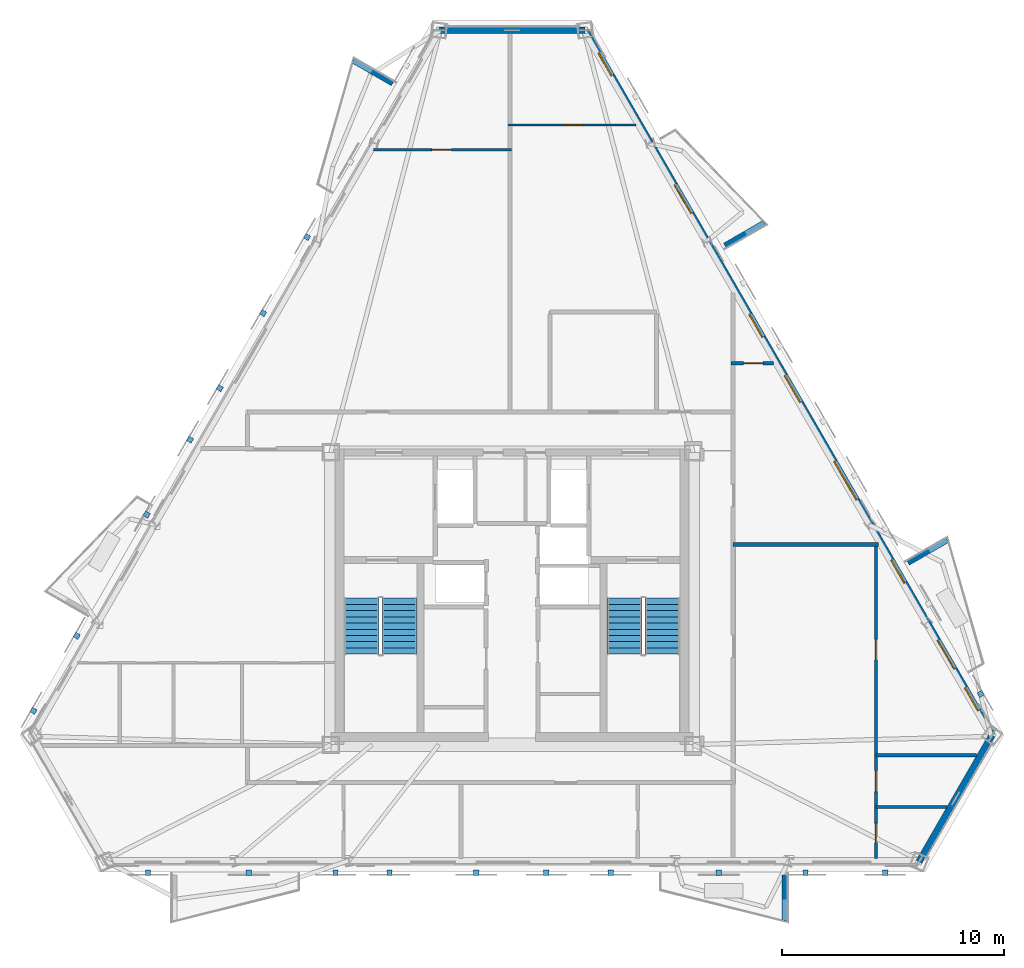
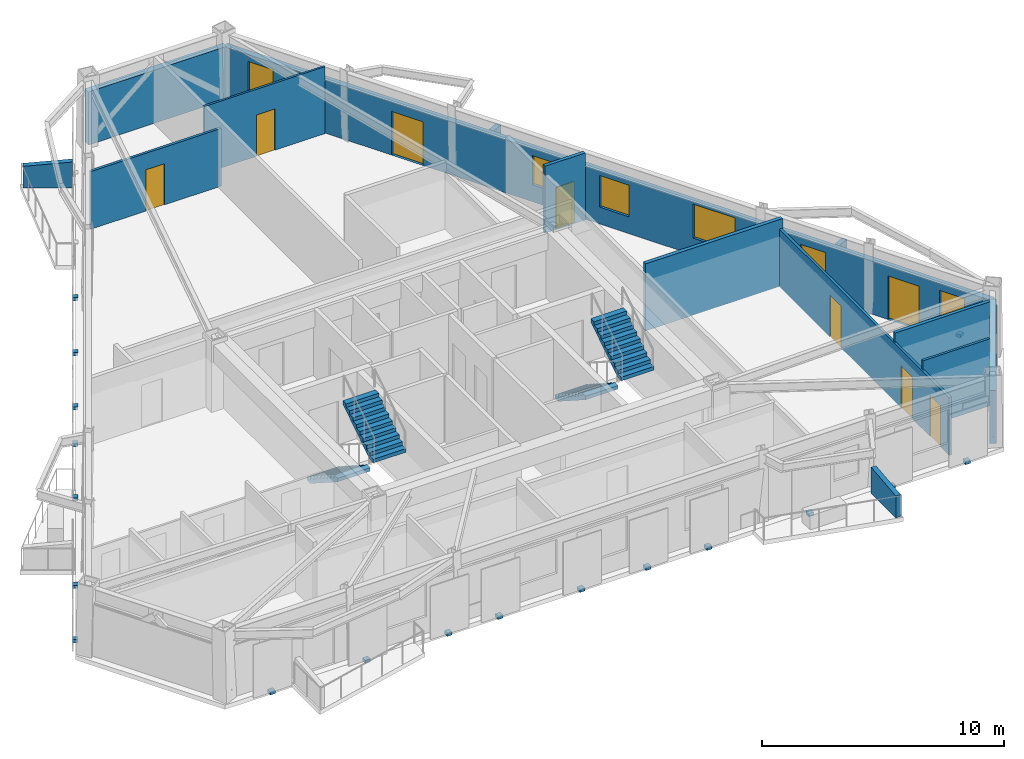
# One storey, part 5 of 9: 18 discrete accessories, 14 walls, 8 doors, 6 windows, 4 stair flights, 14 openings, 2 elements without a shape of their own.
"""IFC4 building model written with IfcOpenShell, lengths in metres."""

from ifc_helpers import new_model, si_unit, direction, frame, frame_2d, origin, origin_2d, place, context, subcontext, project, spatial, polyline, rectangle, outline, extrude, material, layer, layer_set, type_object, element, fill, aggregate, save


model = new_model("IFC4")

# Units and contexts
model_context = context("Model", 3, precision=1e-05, world=origin(), true_north=direction((0.0, 1.0)))
body_context = subcontext(model_context, "Body", "Model", "MODEL_VIEW")
ifc_project = project(units=[si_unit("LENGTHUNIT", "METRE"), si_unit("AREAUNIT", "SQUARE_METRE"), si_unit("VOLUMEUNIT", "CUBIC_METRE"), si_unit("PLANEANGLEUNIT", "RADIAN"), si_unit("MASSUNIT", "GRAM", prefix="KILO")], contexts=[model_context])

# Site, building, storey
site_placement = place(None, origin())
site = spatial("IfcSite", under=ifc_project, at=site_placement, CompositionType="ELEMENT")
building_placement = place(site_placement, origin())
building = spatial("IfcBuilding", under=site, at=building_placement, Name="Oramaril Tower", CompositionType="ELEMENT")
storey_placement = place(building_placement, frame((0.0, 0.0, 219.89990234375)))
storey = spatial("IfcBuildingStorey", under=building, at=storey_placement, Name="L58", CompositionType="ELEMENT", Elevation=219.89990234375)

# Wall
ifc_material_1 = material(Name="Warm Cream Limestone", Category="masonry")
ifc_layer_1 = layer(ifc_material_1, 0.2900390625)
ifc_layer_set_1 = layer_set([ifc_layer_1], Name="WT-EXT29")
wall_type_1 = type_object("IfcWallType", Name="WT-EXT29", PredefinedType="SOLIDWALL", material=ifc_layer_set_1)
wall_1_placement = place(storey_placement, frame((55.81689453125, 5.718017578125, 0.0), z_axis=(0.0, 0.0, 1.0), x_axis=(0.499970336533, 0.866042529317, 0.0)))
element("IfcWall", 1, at=wall_1_placement, inside=storey, type_object=wall_type_1, Name="L58 Tower Limestone Facade Wall 3M", PredefinedType="SOLIDWALL", context=body_context, shape_type="SweptSolid", body=[
    extrude(rectangle(XDim=6.59326171875, YDim=0.2900390625, at=frame_2d((3.296630859375, 0.0))), origin(), (0.0, 0.0, 1.0), 2.677001953125),
])

# Wall, openings, doors, windows
wall_2_placement = place(storey_placement, frame((59.11328125, 11.427978515625, 0.0), z_axis=(0.0, 0.0, 1.0), x_axis=(-0.499994551211, 0.866028549621, 0.0)))
wall_2 = element("IfcWall", 2, at=wall_2_placement, inside=storey, type_object=wall_type_1, Name="L58 Tower Limestone Facade Wall 4M", PredefinedType="SOLIDWALL", context=body_context, shape_type="SweptSolid", body=[
    extrude(rectangle(XDim=36.6337890625, YDim=0.2900390625, at=frame_2d((18.31689453125, 0.0))), origin(), (0.0, 0.0, 1.0), 2.677001953125),
])
opening_1_placement = place(wall_2_placement, frame((3.429443359375, 0.0, 0.0)))
opening_1 = element("IfcOpeningElement", 3, at=opening_1_placement, cuts=wall_2, Name="Opening D-L58-BAL-NE1", PredefinedType="OPENING", context=body_context, shape_type="SweptSolid", body=[
    extrude(rectangle(XDim=1.5, YDim=2.199951171875, at=frame_2d((0.75, 1.10009765625))), frame((0.0, 0.14501953125, 0.0), z_axis=(0.0, -1.0, 0.0), x_axis=(1.0, 0.0, 0.0)), (0.0, 0.0, 1.0), 0.2900390625),
])
opening_2_placement = place(wall_2_placement, frame((27.09912109375, 0.0, 0.0)))
opening_2 = element("IfcOpeningElement", 4, at=opening_2_placement, cuts=wall_2, Name="Opening D-L58-BAL-NE2", PredefinedType="OPENING", context=body_context, shape_type="SweptSolid", body=[
    extrude(rectangle(XDim=1.5, YDim=2.199951171875, at=frame_2d((0.75, 1.10009765625))), frame((0.0, 0.14501953125, 0.0), z_axis=(0.0, -1.0, 0.0), x_axis=(1.0, 0.0, 0.0)), (0.0, 0.0, 1.0), 0.2900390625),
])
opening_3_placement = place(wall_2_placement, frame((7.89501953125, 0.0, 0.85009765625)))
opening_3 = element("IfcOpeningElement", 5, at=opening_3_placement, cuts=wall_2, Name="Opening WN-09", PredefinedType="OPENING", context=body_context, shape_type="SweptSolid", body=[
    extrude(rectangle(XDim=1.199951171875, YDim=1.47998046875, at=frame_2d((0.60009765625, 0.739990234375))), frame((0.0, 0.14501953125, 0.0), z_axis=(0.0, -1.0, 0.0), x_axis=(1.0, 0.0, 0.0)), (0.0, 0.0, 1.0), 0.2900390625),
])
opening_4_placement = place(wall_2_placement, frame((1.26220703125, 0.0, 0.85009765625)))
opening_4 = element("IfcOpeningElement", 6, at=opening_4_placement, cuts=wall_2, Name="Opening WN-09", PredefinedType="OPENING", context=body_context, shape_type="SweptSolid", body=[
    extrude(rectangle(XDim=1.199951171875, YDim=1.47998046875, at=frame_2d((0.60009765625, 0.739990234375))), frame((0.0, 0.14501953125, 0.0), z_axis=(0.0, -1.0, 0.0), x_axis=(1.0, 0.0, 0.0)), (0.0, 0.0, 1.0), 0.2900390625),
])
opening_5_placement = place(wall_2_placement, frame((12.2158203125, 0.0, 0.85009765625)))
opening_5 = element("IfcOpeningElement", 7, at=opening_5_placement, cuts=wall_2, Name="Opening WN-05", PredefinedType="OPENING", context=body_context, shape_type="SweptSolid", body=[
    extrude(rectangle(XDim=2.0, YDim=1.717041015625, at=frame_2d((1.0, 0.8583984375))), frame((0.0, 0.14501953125, 0.0), z_axis=(0.0, -1.0, 0.0), x_axis=(1.0, 0.0, 0.0)), (0.0, 0.0, 1.0), 0.2900390625),
])
opening_6_placement = place(wall_2_placement, frame((17.28515625, 0.0, 0.85009765625)))
opening_6 = element("IfcOpeningElement", 8, at=opening_6_placement, cuts=wall_2, Name="Opening WN-08", PredefinedType="OPENING", context=body_context, shape_type="SweptSolid", body=[
    extrude(rectangle(XDim=1.39990234375, YDim=1.60009765625, at=frame_2d((0.699951171875, 0.800048828125))), frame((0.0, 0.14501953125, 0.0), z_axis=(0.0, -1.0, 0.0), x_axis=(1.0, 0.0, 0.0)), (0.0, 0.0, 1.0), 0.2900390625),
])
opening_7_placement = place(wall_2_placement, frame((20.673095703125, 0.0, 0.85009765625)))
opening_7 = element("IfcOpeningElement", 9, at=opening_7_placement, cuts=wall_2, Name="Opening WN-09", PredefinedType="OPENING", context=body_context, shape_type="SweptSolid", body=[
    extrude(rectangle(XDim=1.199951171875, YDim=1.47998046875, at=frame_2d((0.60009765625, 0.739990234375))), frame((0.0, 0.14501953125, 0.0), z_axis=(0.0, -1.0, 0.0), x_axis=(1.0, 0.0, 0.0)), (0.0, 0.0, 1.0), 0.2900390625),
])
opening_8_placement = place(wall_2_placement, frame((34.25732421875, 0.0, 0.85009765625)))
opening_8 = element("IfcOpeningElement", 10, at=opening_8_placement, cuts=wall_2, Name="Opening WN-09", PredefinedType="OPENING", context=body_context, shape_type="SweptSolid", body=[
    extrude(rectangle(XDim=1.199951171875, YDim=1.47998046875, at=frame_2d((0.60009765625, 0.739990234375))), frame((0.0, 0.14501953125, 0.0), z_axis=(0.0, -1.0, 0.0), x_axis=(1.0, 0.0, 0.0)), (0.0, 0.0, 1.0), 0.2900390625),
])
ifc_material_2 = material(Name="Anodised Aluminium 6063-T6", Category="aluminium")
door_type_1 = type_object("IfcDoorType", Name="DT-BAL", OperationType="NOTDEFINED", PredefinedType="DOOR", material=ifc_material_2)
door_1_placement = place(opening_1_placement, origin())
door_1 = element("IfcDoor", 11, at=door_1_placement, inside=storey, type_object=door_type_1, Name="L58 Balcony Glazed Door L58-BAL-NE1", OperationType="SINGLE_SWING_LEFT", OverallHeight=2.199951171875, OverallWidth=1.5, PredefinedType="DOOR", context=body_context, shape_type="SweptSolid", body=[
    extrude(rectangle(XDim=1.5, YDim=2.199951171875, at=frame_2d((0.75, 1.10009765625))), frame((0.0, 0.02490234375, 0.0), z_axis=(0.0, -1.0, 0.0), x_axis=(1.0, 0.0, 0.0)), (0.0, 0.0, 1.0), 0.050048828125),
])
fill(opening_1, door_1)
door_2_placement = place(opening_2_placement, origin())
door_2 = element("IfcDoor", 12, at=door_2_placement, inside=storey, type_object=door_type_1, Name="L58 Balcony Glazed Door L58-BAL-NE2", OperationType="SINGLE_SWING_RIGHT", OverallHeight=2.199951171875, OverallWidth=1.5, PredefinedType="DOOR", context=body_context, shape_type="SweptSolid", body=[
    extrude(rectangle(XDim=1.5, YDim=2.199951171875, at=frame_2d((0.75, 1.10009765625))), frame((0.0, 0.02490234375, 0.0), z_axis=(0.0, -1.0, 0.0), x_axis=(1.0, 0.0, 0.0)), (0.0, 0.0, 1.0), 0.050048828125),
])
fill(opening_2, door_2)
ifc_material_3 = material(Name="Coastal Low-E Insulated Glass", Category="glass")
window_type_1 = type_object("IfcWindowType", Name="WNT-05", PartitioningType="SINGLE_PANEL", PredefinedType="WINDOW", material=ifc_material_3)
window_1_placement = place(opening_5_placement, origin())
window_1 = element("IfcWindow", 13, at=window_1_placement, inside=storey, type_object=window_type_1, Name="L58 Chicago Bay Window WN-05", OverallHeight=1.717041015625, OverallWidth=2.0, PartitioningType="SINGLE_PANEL", PredefinedType="WINDOW", context=body_context, shape_type="SweptSolid", body=[
    extrude(rectangle(XDim=2.0, YDim=1.717041015625, at=frame_2d((1.0, 0.8583984375))), frame((0.0, 0.030029296875, 0.0), z_axis=(0.0, -1.0, 0.0), x_axis=(1.0, 0.0, 0.0)), (0.0, 0.0, 1.0), 0.06005859375),
])
fill(opening_5, window_1)
ifc_material_4 = material(Name="Coastal Low-E Insulated Glass", Category="glass")
window_type_2 = type_object("IfcWindowType", Name="WNT-08", PartitioningType="SINGLE_PANEL", PredefinedType="WINDOW", material=ifc_material_4)
window_2_placement = place(opening_6_placement, origin())
window_2 = element("IfcWindow", 14, at=window_2_placement, inside=storey, type_object=window_type_2, Name="L58 Chicago Bay Window WN-08", OverallHeight=1.60009765625, OverallWidth=1.39990234375, PartitioningType="SINGLE_PANEL", PredefinedType="WINDOW", context=body_context, shape_type="SweptSolid", body=[
    extrude(rectangle(XDim=1.39990234375, YDim=1.60009765625, at=frame_2d((0.699951171875, 0.800048828125))), frame((0.0, 0.030029296875, 0.0), z_axis=(0.0, -1.0, 0.0), x_axis=(1.0, 0.0, 0.0)), (0.0, 0.0, 1.0), 0.06005859375),
])
fill(opening_6, window_2)
ifc_material_5 = material(Name="Coastal Low-E Insulated Glass", Category="glass")
window_type_3 = type_object("IfcWindowType", Name="WNT-09", PartitioningType="SINGLE_PANEL", PredefinedType="WINDOW", material=ifc_material_5)
window_3_placement = place(opening_3_placement, origin())
window_3 = element("IfcWindow", 15, at=window_3_placement, inside=storey, type_object=window_type_3, Name="L58 Chicago Bay Window WN-09", OverallHeight=1.47998046875, OverallWidth=1.199951171875, PartitioningType="SINGLE_PANEL", PredefinedType="WINDOW", context=body_context, shape_type="SweptSolid", body=[
    extrude(rectangle(XDim=1.199951171875, YDim=1.47998046875, at=frame_2d((0.60009765625, 0.739990234375))), frame((0.0, 0.030029296875, 0.0), z_axis=(0.0, -1.0, 0.0), x_axis=(1.0, 0.0, 0.0)), (0.0, 0.0, 1.0), 0.06005859375),
])
fill(opening_3, window_3)
window_4_placement = place(opening_4_placement, origin())
window_4 = element("IfcWindow", 16, at=window_4_placement, inside=storey, type_object=window_type_3, Name="L58 Chicago Bay Window WN-09", OverallHeight=1.47998046875, OverallWidth=1.199951171875, PartitioningType="SINGLE_PANEL", PredefinedType="WINDOW", context=body_context, shape_type="SweptSolid", body=[
    extrude(rectangle(XDim=1.199951171875, YDim=1.47998046875, at=frame_2d((0.60009765625, 0.739990234375))), frame((0.0, 0.030029296875, 0.0), z_axis=(0.0, -1.0, 0.0), x_axis=(1.0, 0.0, 0.0)), (0.0, 0.0, 1.0), 0.06005859375),
])
fill(opening_4, window_4)
window_5_placement = place(opening_7_placement, origin())
window_5 = element("IfcWindow", 17, at=window_5_placement, inside=storey, type_object=window_type_3, Name="L58 Chicago Bay Window WN-09", OverallHeight=1.47998046875, OverallWidth=1.199951171875, PartitioningType="SINGLE_PANEL", PredefinedType="WINDOW", context=body_context, shape_type="SweptSolid", body=[
    extrude(rectangle(XDim=1.199951171875, YDim=1.47998046875, at=frame_2d((0.60009765625, 0.739990234375))), frame((0.0, 0.030029296875, 0.0), z_axis=(0.0, -1.0, 0.0), x_axis=(1.0, 0.0, 0.0)), (0.0, 0.0, 1.0), 0.06005859375),
])
fill(opening_7, window_5)
window_6_placement = place(opening_8_placement, origin())
window_6 = element("IfcWindow", 18, at=window_6_placement, inside=storey, type_object=window_type_3, Name="L58 Chicago Bay Window WN-09", OverallHeight=1.47998046875, OverallWidth=1.199951171875, PartitioningType="SINGLE_PANEL", PredefinedType="WINDOW", context=body_context, shape_type="SweptSolid", body=[
    extrude(rectangle(XDim=1.199951171875, YDim=1.47998046875, at=frame_2d((0.60009765625, 0.739990234375))), frame((0.0, 0.030029296875, 0.0), z_axis=(0.0, -1.0, 0.0), x_axis=(1.0, 0.0, 0.0)), (0.0, 0.0, 1.0), 0.06005859375),
])
fill(opening_8, window_6)

# Walls
wall_3_placement = place(storey_placement, frame((40.796630859375, 43.15380859375, 0.0), z_axis=(0.0, 0.0, 1.0), x_axis=(-1.0, 0.0, 0.0)))
element("IfcWall", 19, at=wall_3_placement, inside=storey, type_object=wall_type_1, Name="L58 Tower Limestone Facade Wall 5M", PredefinedType="SOLIDWALL", context=body_context, shape_type="SweptSolid", body=[
    extrude(rectangle(XDim=6.59326171875, YDim=0.2900390625, at=frame_2d((3.296630859375, 0.0))), origin(), (0.0, 0.0, 1.0), 2.677001953125),
])
ifc_material_6 = material(Name="Concrete C40/50", Category="concrete")
ifc_layer_2 = layer(ifc_material_6, 0.22998046875)
ifc_layer_set_2 = layer_set([ifc_layer_2], Name="WT-PRP23")
wall_type_2 = type_object("IfcWallType", Name="WT-PRP23", PredefinedType="PARAPET", material=ifc_layer_set_2)
for number, where, z_axis, x_axis, name in (
    (20, (49.77734375, 5.1201171875, 0.0), (0.0, 0.0, 1.0), (0.0, -1.0, 0.0), "L58 Trapezoidal Balcony Frame Cheek L58-BAL-S2-R"),
    (21, (55.3291015625, 19.1787109375, 0.0), (0.0, 0.0, 1.0), (0.866012356593, 0.500022597718, 0.0), "L58 Trapezoidal Balcony Frame Cheek L58-BAL-NE1-R"),
    (22, (47.0791015625, 33.468017578125, 0.0), (0.0, 0.0, 1.0), (0.866042246008, 0.499970827278, 0.0), "L58 Trapezoidal Balcony Frame Cheek L58-BAL-NE2-L"),
    (23, (32.12841796875, 40.755615234375, 0.0), (0.0, 0.0, 1.0), (-0.866042246008, 0.499970827278, 0.0), "L58 Trapezoidal Balcony Frame Cheek L58-BAL-NW1-L"),
):
    element("IfcWall", number, at=place(storey_placement, frame(where, z_axis=z_axis, x_axis=x_axis)), inside=storey, type_object=wall_type_2, Name=name, PredefinedType="PARAPET", context=body_context, shape_type="SweptSolid", body=[
        extrude(outline(polyline([(0.0, 0.0), (2.0419921875, 0.0), (2.0419921875, 1.10009765625), (0.0, 1.320068359375), (0.0, 0.0)])), frame((0.0, 0.114990234375, 0.0), z_axis=(0.0, -1.0, 0.0), x_axis=(1.0, 0.0, 0.0)), (0.0, 0.0, 1.0), 0.22998046875),
    ])

# Wall, opening, door
ifc_material_7 = material(Name="Acoustic Gypsum Board Partition")
ifc_layer_3 = layer(ifc_material_7, 0.10009765625)
ifc_layer_set_3 = layer_set([ifc_layer_3], Name="WT-PT10")
wall_type_3 = type_object("IfcWallType", Name="WT-PT10", PredefinedType="PARTITIONING", material=ifc_layer_set_3)
wall_4_placement = place(storey_placement, frame((37.318115234375, 38.889892578125, 0.0), z_axis=(0.0, 0.0, 1.0), x_axis=(1.0, 0.0, 0.0)))
wall_4 = element("IfcWall", 24, at=wall_4_placement, inside=storey, type_object=wall_type_3, Name="L58 Interior Partition PT-10", PredefinedType="PARTITIONING", context=body_context, shape_type="SweptSolid", body=[
    extrude(rectangle(XDim=5.76806640625, YDim=0.10009765625, at=frame_2d((2.884033203125, 0.0))), origin(), (0.0, 0.0, 1.0), 3.380126953125),
])
opening_9_placement = place(wall_4_placement, frame((2.484130859375, 0.0, 0.0)))
opening_9 = element("IfcOpeningElement", 25, at=opening_9_placement, cuts=wall_4, Name="Opening D-L58-13", PredefinedType="OPENING", context=body_context, shape_type="SweptSolid", body=[
    extrude(rectangle(XDim=0.8798828125, YDim=2.080078125, at=frame_2d((0.43994140625, 1.0400390625))), frame((0.0, 0.050048828125, 0.0), z_axis=(0.0, -1.0, 0.0), x_axis=(1.0, 0.0, 0.0)), (0.0, 0.0, 1.0), 0.10009765625),
])
ifc_material_8 = material(Name="FSC Brazilian Freijo Hardwood", Category="wood")
door_type_2 = type_object("IfcDoorType", Name="DT-BATH", OperationType="NOTDEFINED", PredefinedType="DOOR", material=ifc_material_8)
door_3_placement = place(opening_9_placement, origin())
door_3 = element("IfcDoor", 26, at=door_3_placement, inside=storey, type_object=door_type_2, Name="L58 Flat L58-U7 Bathroom Door D-L58-13", OperationType="SINGLE_SWING_LEFT", OverallHeight=2.080078125, OverallWidth=0.8798828125, PredefinedType="DOOR", context=body_context, shape_type="SweptSolid", body=[
    extrude(rectangle(XDim=0.8798828125, YDim=2.080078125, at=frame_2d((0.43994140625, 1.0400390625))), frame((0.0, 0.02490234375, 0.0), z_axis=(0.0, -1.0, 0.0), x_axis=(1.0, 0.0, 0.0)), (0.0, 0.0, 1.0), 0.050048828125),
])
fill(opening_9, door_3)

# Wall
ifc_material_9 = material(Name="Acoustic Gypsum Board Partition")
ifc_layer_4 = layer(ifc_material_9, 0.1201171875)
ifc_layer_set_4 = layer_set([ifc_layer_4], Name="WT-PT12")
wall_type_4 = type_object("IfcWallType", Name="WT-PT12", PredefinedType="PARTITIONING", material=ifc_layer_set_4)
wall_5_placement = place(storey_placement, frame((53.884521484375, 8.18994140625, 0.0), z_axis=(0.0, 0.0, 1.0), x_axis=(1.0, 0.0, 0.0)))
element("IfcWall", 27, at=wall_5_placement, inside=storey, type_object=wall_type_4, Name="L58 Interior Partition PT-12", PredefinedType="PARTITIONING", context=body_context, shape_type="SweptSolid", body=[
    extrude(rectangle(XDim=3.1875, YDim=0.1201171875, at=frame_2d((1.59375, 0.0))), origin(), (0.0, 0.0, 1.0), 3.380126953125),
])

# Wall, opening, door
wall_6_placement = place(storey_placement, frame((31.26708984375, 37.77001953125, 0.0), z_axis=(0.0, 0.0, 1.0), x_axis=(1.0, 0.0, 0.0)))
wall_6 = element("IfcWall", 28, at=wall_6_placement, inside=storey, type_object=wall_type_4, Name="L58 Interior Partition PT-12", PredefinedType="PARTITIONING", context=body_context, shape_type="SweptSolid", body=[
    extrude(rectangle(XDim=6.21484375, YDim=0.1201171875, at=frame_2d((3.107421875, 0.0))), origin(), (0.0, 0.0, 1.0), 2.9130859375),
])
opening_10_placement = place(wall_6_placement, frame((2.626953125, 0.0, 0.0)))
opening_10 = element("IfcOpeningElement", 29, at=opening_10_placement, cuts=wall_6, Name="Opening D-L58-12", PredefinedType="OPENING", context=body_context, shape_type="SweptSolid", body=[
    extrude(rectangle(XDim=0.8798828125, YDim=2.080078125, at=frame_2d((0.43994140625, 1.0400390625))), frame((0.0, 0.06005859375, 0.0), z_axis=(0.0, -1.0, 0.0), x_axis=(1.0, 0.0, 0.0)), (0.0, 0.0, 1.0), 0.1201171875),
])
door_4_placement = place(opening_10_placement, origin())
door_4 = element("IfcDoor", 30, at=door_4_placement, inside=storey, type_object=door_type_2, Name="L58 Flat L58-U6 Bathroom Door D-L58-12", OperationType="SINGLE_SWING_RIGHT", OverallHeight=2.080078125, OverallWidth=0.8798828125, PredefinedType="DOOR", context=body_context, shape_type="SweptSolid", body=[
    extrude(rectangle(XDim=0.8798828125, YDim=2.080078125, at=frame_2d((0.43994140625, 1.0400390625))), frame((0.0, 0.02490234375, 0.0), z_axis=(0.0, -1.0, 0.0), x_axis=(1.0, 0.0, 0.0)), (0.0, 0.0, 1.0), 0.050048828125),
])
fill(opening_10, door_4)

# Wall, openings, doors
wall_7_placement = place(storey_placement, frame((53.8798828125, 5.8671875, 0.0), z_axis=(0.0, 0.0, 1.0), x_axis=(0.0, 1.0, 0.0)))
wall_7 = element("IfcWall", 31, at=wall_7_placement, inside=storey, type_object=wall_type_4, Name="L58 Interior Partition PT-12", PredefinedType="PARTITIONING", context=body_context, shape_type="SweptSolid", body=[
    extrude(rectangle(XDim=14.038818359375, YDim=0.1201171875, at=frame_2d((7.01953125, 0.0))), origin(), (0.0, 0.0, 1.0), 2.9130859375),
])
opening_11_placement = place(wall_7_placement, frame((0.705810546875, 0.0, 0.0)))
opening_11 = element("IfcOpeningElement", 32, at=opening_11_placement, cuts=wall_7, Name="Opening D-L58-18", PredefinedType="OPENING", context=body_context, shape_type="SweptSolid", body=[
    extrude(rectangle(XDim=0.8798828125, YDim=2.080078125, at=frame_2d((0.43994140625, 1.0400390625))), frame((0.0, 0.06005859375, 0.0), z_axis=(0.0, -1.0, 0.0), x_axis=(1.0, 0.0, 0.0)), (0.0, 0.0, 1.0), 0.1201171875),
])
opening_12_placement = place(wall_7_placement, frame((3.013916015625, 0.0, 0.0)))
opening_12 = element("IfcOpeningElement", 33, at=opening_12_placement, cuts=wall_7, Name="Opening D-L58-19", PredefinedType="OPENING", context=body_context, shape_type="SweptSolid", body=[
    extrude(rectangle(XDim=0.949951171875, YDim=2.10009765625, at=frame_2d((0.47509765625, 1.050048828125))), frame((0.0, 0.06005859375, 0.0), z_axis=(0.0, -1.0, 0.0), x_axis=(1.0, 0.0, 0.0)), (0.0, 0.0, 1.0), 0.1201171875),
])
opening_13_placement = place(wall_7_placement, frame((8.94970703125, 0.0, 0.0)))
opening_13 = element("IfcOpeningElement", 34, at=opening_13_placement, cuts=wall_7, Name="Opening D-L58-20", PredefinedType="OPENING", context=body_context, shape_type="SweptSolid", body=[
    extrude(rectangle(XDim=0.919921875, YDim=2.1201171875, at=frame_2d((0.4599609375, 1.06005859375))), frame((0.0, 0.06005859375, 0.0), z_axis=(0.0, -1.0, 0.0), x_axis=(1.0, 0.0, 0.0)), (0.0, 0.0, 1.0), 0.1201171875),
])
door_5_placement = place(opening_11_placement, origin())
door_5 = element("IfcDoor", 35, at=door_5_placement, inside=storey, type_object=door_type_2, Name="L58 Flat L58-U4 Bathroom Door D-L58-18", OperationType="SINGLE_SWING_RIGHT", OverallHeight=2.080078125, OverallWidth=0.8798828125, PredefinedType="DOOR", context=body_context, shape_type="SweptSolid", body=[
    extrude(rectangle(XDim=0.8798828125, YDim=2.080078125, at=frame_2d((0.43994140625, 1.0400390625))), frame((0.0, 0.02490234375, 0.0), z_axis=(0.0, -1.0, 0.0), x_axis=(1.0, 0.0, 0.0)), (0.0, 0.0, 1.0), 0.050048828125),
])
fill(opening_11, door_5)
ifc_material_10 = material(Name="FSC Brazilian Freijo Hardwood", Category="wood")
door_type_3 = type_object("IfcDoorType", Name="DT-BED", OperationType="NOTDEFINED", PredefinedType="DOOR", material=ifc_material_10)
door_6_placement = place(opening_13_placement, origin())
door_6 = element("IfcDoor", 36, at=door_6_placement, inside=storey, type_object=door_type_3, Name="L58 Flat L58-U4 Master Bedroom Door D-L58-20", OperationType="SINGLE_SWING_RIGHT", OverallHeight=2.1201171875, OverallWidth=0.919921875, PredefinedType="DOOR", context=body_context, shape_type="SweptSolid", body=[
    extrude(rectangle(XDim=0.919921875, YDim=2.1201171875, at=frame_2d((0.4599609375, 1.06005859375))), frame((0.0, 0.02490234375, 0.0), z_axis=(0.0, -1.0, 0.0), x_axis=(1.0, 0.0, 0.0)), (0.0, 0.0, 1.0), 0.050048828125),
])
fill(opening_13, door_6)
ifc_material_11 = material(Name="FSC Brazilian Freijo Hardwood", Category="wood")
door_type_4 = type_object("IfcDoorType", Name="DT-STDY", OperationType="NOTDEFINED", PredefinedType="DOOR", material=ifc_material_11)
door_7_placement = place(opening_12_placement, origin())
door_7 = element("IfcDoor", 37, at=door_7_placement, inside=storey, type_object=door_type_4, Name="L58 Flat L58-U4 Kitchen Door D-L58-19", OperationType="SINGLE_SWING_LEFT", OverallHeight=2.10009765625, OverallWidth=0.949951171875, PredefinedType="DOOR", context=body_context, shape_type="SweptSolid", body=[
    extrude(rectangle(XDim=0.949951171875, YDim=2.10009765625, at=frame_2d((0.47509765625, 1.050048828125))), frame((0.0, 0.02490234375, 0.0), z_axis=(0.0, -1.0, 0.0), x_axis=(1.0, 0.0, 0.0)), (0.0, 0.0, 1.0), 0.050048828125),
])
fill(opening_12, door_7)

# Wall
ifc_material_12 = material(Name="Acoustic Gypsum Board Partition")
ifc_layer_5 = layer(ifc_material_12, 0.159912109375)
ifc_layer_set_5 = layer_set([ifc_layer_5], Name="WT-PT16")
wall_type_5 = type_object("IfcWallType", Name="WT-PT16", PredefinedType="PARTITIONING", material=ifc_layer_set_5)
wall_8_placement = place(storey_placement, frame((53.884521484375, 10.52001953125, 0.0), z_axis=(0.0, 0.0, 1.0), x_axis=(1.0, 0.0, 0.0)))
element("IfcWall", 38, at=wall_8_placement, inside=storey, type_object=wall_type_5, Name="L58 Interior Partition PT-16", PredefinedType="PARTITIONING", context=body_context, shape_type="SweptSolid", body=[
    extrude(rectangle(XDim=4.532470703125, YDim=0.159912109375, at=frame_2d((2.26611328125, 0.0))), origin(), (0.0, 0.0, 1.0), 3.380126953125),
])

# Wall, opening, door
wall_9_placement = place(storey_placement, frame((47.367919921875, 28.159912109375, 0.0), z_axis=(0.0, 0.0, 1.0), x_axis=(1.0, 0.0, 0.0)))
wall_9 = element("IfcWall", 39, at=wall_9_placement, inside=storey, type_object=wall_type_5, Name="L58 Interior Partition PT-16", PredefinedType="PARTITIONING", context=body_context, shape_type="SweptSolid", body=[
    extrude(rectangle(XDim=1.913330078125, YDim=0.159912109375, at=frame_2d((0.95654296875, 0.0))), origin(), (0.0, 0.0, 1.0), 3.380126953125),
])
opening_14_placement = place(wall_9_placement, frame((0.55859375, 0.0, 0.0)))
opening_14 = element("IfcOpeningElement", 40, at=opening_14_placement, cuts=wall_9, Name="Opening D-L58-11", PredefinedType="OPENING", context=body_context, shape_type="SweptSolid", body=[
    extrude(rectangle(XDim=0.8798828125, YDim=2.080078125, at=frame_2d((0.43994140625, 1.0400390625))), frame((0.0, 0.080078125, 0.0), z_axis=(0.0, -1.0, 0.0), x_axis=(1.0, 0.0, 0.0)), (0.0, 0.0, 1.0), 0.159912109375),
])
door_8_placement = place(opening_14_placement, origin())
door_8 = element("IfcDoor", 41, at=door_8_placement, inside=storey, type_object=door_type_2, Name="L58 Flat L58-U5 Bathroom Door D-L58-11", OperationType="SINGLE_SWING_LEFT", OverallHeight=2.080078125, OverallWidth=0.8798828125, PredefinedType="DOOR", context=body_context, shape_type="SweptSolid", body=[
    extrude(rectangle(XDim=0.8798828125, YDim=2.080078125, at=frame_2d((0.43994140625, 1.0400390625))), frame((0.0, 0.02490234375, 0.0), z_axis=(0.0, -1.0, 0.0), x_axis=(1.0, 0.0, 0.0)), (0.0, 0.0, 1.0), 0.050048828125),
])
fill(opening_14, door_8)

# Wall
ifc_material_13 = material(Name="Autoclaved Cellular Concrete Block", Category="concrete")
ifc_layer_6 = layer(ifc_material_13, 0.179931640625)
ifc_layer_set_6 = layer_set([ifc_layer_6], Name="WT-PT18")
wall_type_6 = type_object("IfcWallType", Name="WT-PT18", PredefinedType="PARTITIONING", material=ifc_layer_set_6)
wall_10_placement = place(storey_placement, frame((47.449951171875, 20.0, 0.0), z_axis=(0.0, 0.0, 1.0), x_axis=(1.0, 0.0, 0.0)))
element("IfcWall", 42, at=wall_10_placement, inside=storey, type_object=wall_type_6, Name="L58 Interior Partition PT-18", PredefinedType="PARTITIONING", context=body_context, shape_type="SweptSolid", body=[
    extrude(rectangle(XDim=6.54248046875, YDim=0.179931640625, at=frame_2d((3.271240234375, 0.0))), origin(), (0.0, 0.0, 1.0), 3.380126953125),
])

# Stair, stair flights
ifc_material_14 = material(Name="Concrete C50/60", Category="concrete")
stair_type = type_object("IfcStairType", Name="STT-DG-3600", PredefinedType="HALF_TURN_STAIR", material=ifc_material_14)
stair_1_placement = place(storey_placement, origin())
stair_1 = element("IfcStair", 43, at=stair_1_placement, inside=storey, type_object=stair_type, Name="L58 Protected PFP Exit Stair ST-1", PredefinedType="HALF_TURN_STAIR")
ifc_material_15 = material(Name="Concrete C50/60", Category="concrete")
stair_flight_type = type_object("IfcStairFlightType", Name="SFT-DG-3600", PredefinedType="STRAIGHT", material=ifc_material_15)
stair_flight_1_placement = place(storey_placement, frame((30.72998046875, 17.590087890625, 0.0), z_axis=(0.0, 0.0, 1.0), x_axis=(0.0, -1.0, 0.0)))
stair_flight_1 = element("IfcStairFlight", 44, at=stair_flight_1_placement, type_object=stair_flight_type, Name="ST-1 flight 1", NumberOfRisers=10, NumberOfTreads=9, PredefinedType="STRAIGHT", RiserHeight=0.18, TreadLength=0.28, context=body_context, shape_type="SweptSolid", body=[
    extrude(outline(polyline([(0.0, 0.0), (0.0, 0.179931640625), (0.280029296875, 0.179931640625), (0.280029296875, 0.360107421875), (0.56005859375, 0.360107421875), (0.56005859375, 0.5400390625), (0.840087890625, 0.5400390625), (0.840087890625, 0.719970703125), (1.1201171875, 0.719970703125), (1.1201171875, 0.89990234375), (1.39990234375, 0.89990234375), (1.39990234375, 1.080078125), (1.679931640625, 1.080078125), (1.679931640625, 1.260009765625), (1.9599609375, 1.260009765625), (1.9599609375, 1.43994140625), (2.239990234375, 1.43994140625), (2.239990234375, 1.6201171875), (2.52001953125, 1.6201171875), (2.52001953125, 1.800048828125), (2.52001953125, 1.44189453125), (0.277099609375, 0.0), (0.0, 0.0)])), frame((0.0, 0.780029296875, 0.0), z_axis=(0.0, -1.0, 0.0), x_axis=(1.0, 0.0, 0.0)), (0.0, 0.0, 1.0), 1.56005859375),
])
stair_flight_2_placement = place(storey_placement, frame((32.43994140625, 15.070068359375, 1.800048828125), z_axis=(0.0, 0.0, 1.0), x_axis=(0.0, 1.0, 0.0)))
stair_flight_2 = element("IfcStairFlight", 45, at=stair_flight_2_placement, type_object=stair_flight_type, Name="ST-1 flight 2", NumberOfRisers=10, NumberOfTreads=9, PredefinedType="STRAIGHT", RiserHeight=0.18, TreadLength=0.28, context=body_context, shape_type="SweptSolid", body=[
    extrude(outline(polyline([(0.0, 0.0), (0.0, 0.179931640625), (0.280029296875, 0.179931640625), (0.280029296875, 0.360107421875), (0.56005859375, 0.360107421875), (0.56005859375, 0.5400390625), (0.840087890625, 0.5400390625), (0.840087890625, 0.719970703125), (1.1201171875, 0.719970703125), (1.1201171875, 0.89990234375), (1.39990234375, 0.89990234375), (1.39990234375, 1.080078125), (1.679931640625, 1.080078125), (1.679931640625, 1.260009765625), (1.9599609375, 1.260009765625), (1.9599609375, 1.43994140625), (2.239990234375, 1.43994140625), (2.239990234375, 1.6201171875), (2.52001953125, 1.6201171875), (2.52001953125, 1.800048828125), (2.52001953125, 1.44189453125), (0.277099609375, 0.0), (0.0, 0.0)])), frame((0.0, 0.780029296875, 0.0), z_axis=(0.0, -1.0, 0.0), x_axis=(1.0, 0.0, 0.0)), (0.0, 0.0, 1.0), 1.56005859375),
])
aggregate(stair_1, [stair_flight_1, stair_flight_2])

stair_2_placement = place(storey_placement, origin())
stair_2 = element("IfcStair", 46, at=stair_2_placement, inside=storey, type_object=stair_type, Name="L58 Protected PFP Exit Stair ST-2", PredefinedType="HALF_TURN_STAIR")
stair_flight_3_placement = place(storey_placement, frame((42.56005859375, 17.590087890625, 0.0), z_axis=(0.0, 0.0, 1.0), x_axis=(0.0, -1.0, 0.0)))
stair_flight_3 = element("IfcStairFlight", 47, at=stair_flight_3_placement, type_object=stair_flight_type, Name="ST-2 flight 1", NumberOfRisers=10, NumberOfTreads=9, PredefinedType="STRAIGHT", RiserHeight=0.18, TreadLength=0.28, context=body_context, shape_type="SweptSolid", body=[
    extrude(outline(polyline([(0.0, 0.0), (0.0, 0.179931640625), (0.280029296875, 0.179931640625), (0.280029296875, 0.360107421875), (0.56005859375, 0.360107421875), (0.56005859375, 0.5400390625), (0.840087890625, 0.5400390625), (0.840087890625, 0.719970703125), (1.1201171875, 0.719970703125), (1.1201171875, 0.89990234375), (1.39990234375, 0.89990234375), (1.39990234375, 1.080078125), (1.679931640625, 1.080078125), (1.679931640625, 1.260009765625), (1.9599609375, 1.260009765625), (1.9599609375, 1.43994140625), (2.239990234375, 1.43994140625), (2.239990234375, 1.6201171875), (2.52001953125, 1.6201171875), (2.52001953125, 1.800048828125), (2.52001953125, 1.44189453125), (0.277099609375, 0.0), (0.0, 0.0)])), frame((0.0, 0.780029296875, 0.0), z_axis=(0.0, -1.0, 0.0), x_axis=(1.0, 0.0, 0.0)), (0.0, 0.0, 1.0), 1.56005859375),
])
stair_flight_4_placement = place(storey_placement, frame((44.27001953125, 15.070068359375, 1.800048828125), z_axis=(0.0, 0.0, 1.0), x_axis=(0.0, 1.0, 0.0)))
stair_flight_4 = element("IfcStairFlight", 48, at=stair_flight_4_placement, type_object=stair_flight_type, Name="ST-2 flight 2", NumberOfRisers=10, NumberOfTreads=9, PredefinedType="STRAIGHT", RiserHeight=0.18, TreadLength=0.28, context=body_context, shape_type="SweptSolid", body=[
    extrude(outline(polyline([(0.0, 0.0), (0.0, 0.179931640625), (0.280029296875, 0.179931640625), (0.280029296875, 0.360107421875), (0.56005859375, 0.360107421875), (0.56005859375, 0.5400390625), (0.840087890625, 0.5400390625), (0.840087890625, 0.719970703125), (1.1201171875, 0.719970703125), (1.1201171875, 0.89990234375), (1.39990234375, 0.89990234375), (1.39990234375, 1.080078125), (1.679931640625, 1.080078125), (1.679931640625, 1.260009765625), (1.9599609375, 1.260009765625), (1.9599609375, 1.43994140625), (2.239990234375, 1.43994140625), (2.239990234375, 1.6201171875), (2.52001953125, 1.6201171875), (2.52001953125, 1.800048828125), (2.52001953125, 1.44189453125), (0.277099609375, 0.0), (0.0, 0.0)])), frame((0.0, 0.780029296875, 0.0), z_axis=(0.0, -1.0, 0.0), x_axis=(1.0, 0.0, 0.0)), (0.0, 0.0, 1.0), 1.56005859375),
])
aggregate(stair_2, [stair_flight_3, stair_flight_4])

# Discrete accessories
for number, where, z_axis, x_axis, name in (
    (49, (21.116943359375, 5.238037109375, -0.1396484375), (0.0, 0.0, 1.0), (1.0, 0.0, 0.0), "L58 Solar Screen Slab Bracket"),
    (50, (25.65625, 5.238037109375, -0.1396484375), (0.0, 0.0, 1.0), (1.0, 0.0, 0.0), "L58 Solar Screen Slab Bracket"),
    (51, (29.556396484375, 5.238037109375, -0.1396484375), (0.0, 0.0, 1.0), (1.0, 0.0, 0.0), "L58 Solar Screen Slab Bracket"),
    (52, (31.98828125, 5.238037109375, -0.1396484375), (0.0, 0.0, 1.0), (1.0, 0.0, 0.0), "L58 Solar Screen Slab Bracket"),
    (53, (35.88818359375, 5.238037109375, -0.1396484375), (0.0, 0.0, 1.0), (1.0, 0.0, 0.0), "L58 Solar Screen Slab Bracket"),
    (54, (39.0478515625, 5.238037109375, -0.1396484375), (0.0, 0.0, 1.0), (1.0, 0.0, 0.0), "L58 Solar Screen Slab Bracket"),
    (55, (41.947998046875, 5.238037109375, -0.1396484375), (0.0, 0.0, 1.0), (1.0, 0.0, 0.0), "L58 Solar Screen Slab Bracket"),
    (56, (46.80810546875, 5.238037109375, -0.1396484375), (0.0, 0.0, 1.0), (1.0, 0.0, 0.0), "L58 Solar Screen Slab Bracket"),
    (57, (50.7080078125, 5.238037109375, -0.1396484375), (0.0, 0.0, 1.0), (1.0, 0.0, 0.0), "L58 Solar Screen Slab Bracket"),
    (58, (54.294189453125, 5.238037109375, -0.1396484375), (0.0, 0.0, 1.0), (1.0, 0.0, 0.0), "L58 Solar Screen Slab Bracket"),
    (59, (58.597900390625, 13.28076171875, -0.1396484375), (0.0, 0.0, 1.0), (-0.4999984885, 0.866026276448, 0.0), "L58 Solar Screen Slab Bracket"),
    (60, (23.010986328125, 24.727783203125, -0.1396484375), (0.0, 0.0, 1.0), (-0.4999984885, -0.866026276448, 0.0), "L58 Solar Screen Slab Bracket"),
    (61, (21.060791015625, 21.350341796875, -0.1396484375), (0.0, 0.0, 1.0), (-0.4999984885, -0.866026276448, 0.0), "L58 Solar Screen Slab Bracket"),
    (62, (17.91162109375, 15.8955078125, -0.1396484375), (0.0, 0.0, 1.0), (-0.4999984885, -0.866026276448, 0.0), "L58 Solar Screen Slab Bracket"),
    (63, (15.961669921875, 12.51806640625, -0.1396484375), (0.0, 0.0, 1.0), (-0.4999984885, -0.866026276448, 0.0), "L58 Solar Screen Slab Bracket"),
    (64, (28.275390625, 33.84619140625, -0.1396484375), (0.0, 0.0, 1.0), (-0.4999984885, -0.866026276448, 0.0), "L58 Solar Screen Slab Bracket"),
    (65, (26.298095703125, 30.42138671875, -0.1396484375), (0.0, 0.0, 1.0), (-0.4999984885, -0.866026276448, 0.0), "L58 Solar Screen Slab Bracket"),
    (66, (24.34814453125, 27.0439453125, -0.1396484375), (0.0, 0.0, 1.0), (-0.4999984885, -0.866026276448, 0.0), "L58 Solar Screen Slab Bracket"),
):
    element("IfcDiscreteAccessory", number, at=place(storey_placement, frame(where, z_axis=z_axis, x_axis=x_axis)), inside=storey, Name=name, PredefinedType="BRACKET", context=body_context, shape_type="SweptSolid", body=[
        extrude(rectangle(XDim=0.239990234375, YDim=0.239990234375, at=origin_2d()), origin(), (0.0, 0.0, 1.0), 0.159912109375),
    ])

save(model, "model.ifc")
